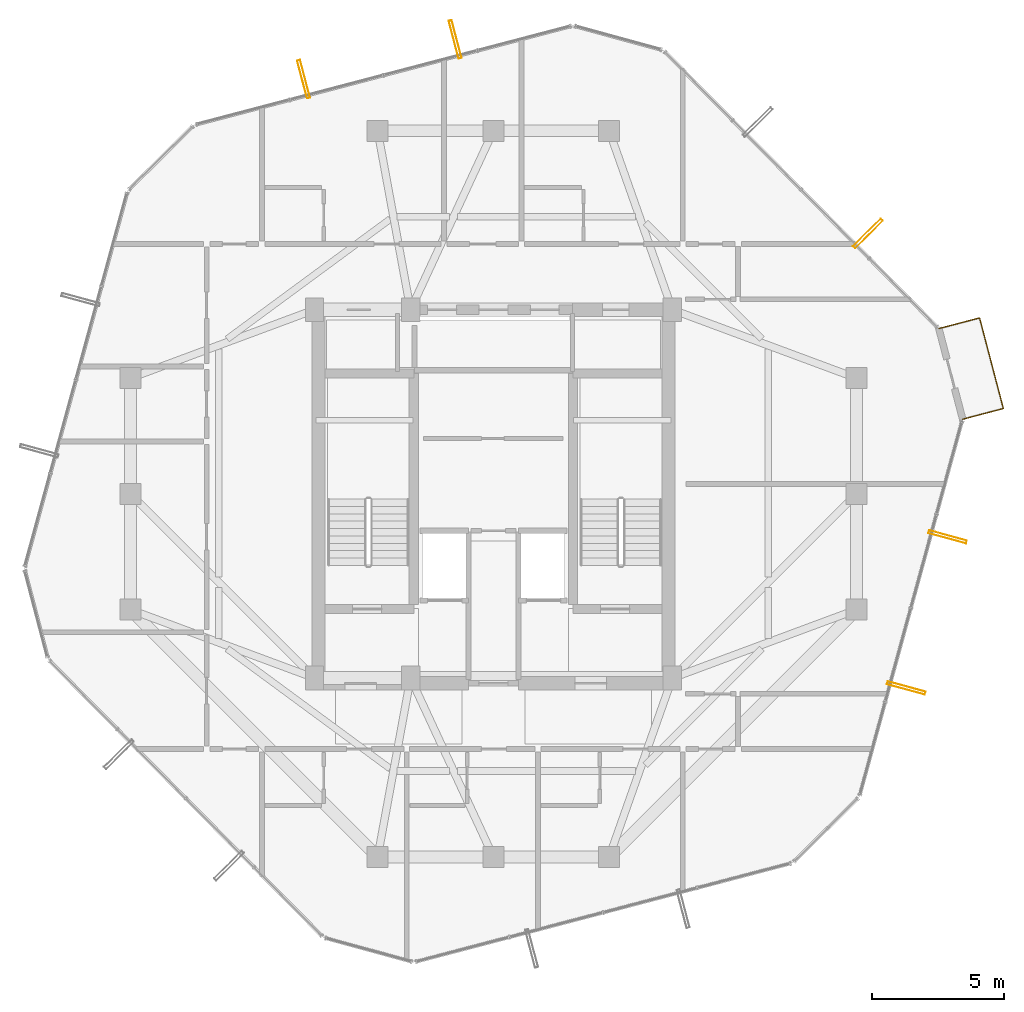
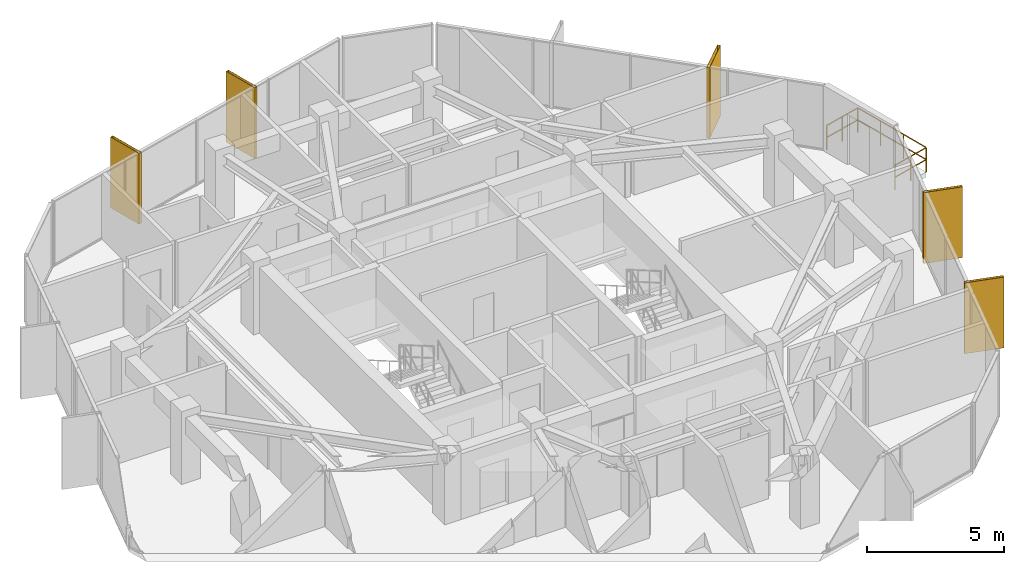
# One storey, part 29 of 29: 5 shading devices, 1 railing.
"""IFC4 building model written with IfcOpenShell, lengths in metres."""

from ifc_helpers import new_model, si_unit, direction, frame, origin, origin_2d, place, context, subcontext, project, spatial, hollow_rectangle, circle, extrude, material, material_profile, profile_set, type_object, element, save


model = new_model("IFC4")

# Units and contexts
model_context = context("Model", 3, precision=1e-05, world=origin(), true_north=direction((0.0, 1.0)))
body_context = subcontext(model_context, "Body", "Model", "MODEL_VIEW")
ifc_project = project(units=[si_unit("LENGTHUNIT", "METRE"), si_unit("AREAUNIT", "SQUARE_METRE"), si_unit("VOLUMEUNIT", "CUBIC_METRE"), si_unit("PLANEANGLEUNIT", "RADIAN"), si_unit("MASSUNIT", "GRAM", prefix="KILO")], contexts=[model_context])

# Site, building, storey
site_placement = place(None, origin())
site = spatial("IfcSite", under=ifc_project, at=site_placement, CompositionType="ELEMENT")
building_placement = place(site_placement, origin())
building = spatial("IfcBuilding", under=site, at=building_placement, Name="Veraguas Prism Commons", CompositionType="ELEMENT")
storey_placement = place(building_placement, frame((0.0, 0.0, 261.0)))
storey = spatial("IfcBuildingStorey", under=building, at=storey_placement, Name="L74", CompositionType="ELEMENT", Elevation=261.0)

# Shading devices
ifc_material_1 = material(Name="Anodised aluminium EN AW-6063 T6", Category="aluminium")
ifc_material_profile = material_profile(ifc_material_1, hollow_rectangle(XDim=0.1201171875, YDim=1.489990234375, WallThickness=0.006103515625, at=origin_2d()), Name="FIN120X1490X6")
ifc_profile_set = profile_set([ifc_material_profile], Name="Anodised aluminium EN AW-6063 T6")
shading_device_type = type_object("IfcShadingDeviceType", Name="Deep Pale-Metal Vertical Solar Fin 120x1490", PredefinedType="USERDEFINED", material=ifc_profile_set)
for number, where, z_axis, x_axis, name in (
    (1, (38.234130859375, 33.8974609375, -0.215087890625), (0.0, 0.0, 1.0), (-0.703395943389, 0.710798246217, 0.0), "Vertical Pale-Metal Solar Fin L74-F1A"),
    (2, (22.5458984375, 41.27587890625, -0.215087890625), (0.0, 0.0, 1.0), (-0.967266866988, -0.253761320985, 0.0), "Vertical Pale-Metal Solar Fin L74-F2A"),
    (3, (16.7861328125, 39.764892578125, -0.215087890625), (0.0, 0.0, 1.0), (-0.967266866988, -0.253761320985, 0.0), "Vertical Pale-Metal Solar Fin L74-F2B"),
    (4, (39.6884765625, 16.621337890625, -0.215087890625), (0.0, 0.0, 1.0), (0.263878100373, 0.964556036809, 0.0), "Vertical Pale-Metal Solar Fin L74-F6A"),
    (5, (41.259765625, 22.364990234375, -0.215087890625), (0.0, 0.0, 1.0), (0.263878100373, 0.964556036809, 0.0), "Vertical Pale-Metal Solar Fin L74-F6B"),
):
    element("IfcShadingDevice", number, at=place(storey_placement, frame(where, z_axis=z_axis, x_axis=x_axis)), inside=storey, type_object=shading_device_type, Name=name, ObjectType="FIN", PredefinedType="USERDEFINED", context=body_context, shape_type="SweptSolid", body=[
        extrude(hollow_rectangle(XDim=0.1201171875, YDim=1.489990234375, WallThickness=0.006103515625, at=origin_2d()), origin(), (0.0, 0.0, 1.0), 3.1650390625),
    ])

# Railing
ifc_material_2 = material(Name="Stainless steel AISI 316", Category="steel")
railing_type = type_object("IfcRailingType", Name="Loggia and Sky Pool Glazed Balustrade 1120", PredefinedType="BALUSTRADE", material=ifc_material_2)
railing_placement = place(storey_placement, frame((41.83544921875, 26.83740234375, 0.0)))
element("IfcRailing", 6, at=railing_placement, inside=storey, type_object=railing_type, Name="Recessed Corner Loggia L74-C1 Guard", PredefinedType="BALUSTRADE", context=body_context, shape_type="SweptSolid", body=[
    extrude(circle(Radius=0.02392578125, at=origin_2d()), frame((0.0, 0.0, 1.09619140625), z_axis=(0.967267959462, 0.253757156742, 0.0), x_axis=(-0.253757156742, 0.967267959462, 0.0)), (0.0, 0.0, 1.0), 1.60009765625),
    extrude(circle(Radius=0.02392578125, at=origin_2d()), frame((0.0, 0.0, 0.56005859375), z_axis=(0.967267959462, 0.253757156742, 0.0), x_axis=(-0.253757156742, 0.967267959462, 0.0)), (0.0, 0.0, 1.0), 1.60009765625),
    extrude(circle(Radius=0.02392578125, at=origin_2d()), frame((1.547607421875, 0.406005859375, 1.09619140625), z_axis=(-0.253757884976, 0.967267768414, 0.0), x_axis=(-0.967267768414, -0.253757884976, 0.0)), (0.0, 0.0, 1.0), 3.562744140625),
    extrude(circle(Radius=0.02392578125, at=origin_2d()), frame((1.547607421875, 0.406005859375, 0.56005859375), z_axis=(-0.253757884976, 0.967267768414, 0.0), x_axis=(-0.967267768414, -0.253757884976, 0.0)), (0.0, 0.0, 1.0), 3.562744140625),
    extrude(circle(Radius=0.02392578125, at=origin_2d()), frame((0.6435546875, 3.85205078125, 1.09619140625), z_axis=(-0.967267959462, -0.253757156742, 0.0), x_axis=(0.253757156742, -0.967267959462, 0.0)), (0.0, 0.0, 1.0), 1.60009765625),
    extrude(circle(Radius=0.02392578125, at=origin_2d()), frame((0.6435546875, 3.85205078125, 0.56005859375), z_axis=(-0.967267959462, -0.253757156742, 0.0), x_axis=(0.253757156742, -0.967267959462, 0.0)), (0.0, 0.0, 1.0), 1.60009765625),
    extrude(circle(Radius=0.02099609375, at=origin_2d()), origin(), (0.0, 0.0, 1.0), 1.072021484375),
    extrude(circle(Radius=0.02099609375, at=origin_2d()), frame((0.77392578125, 0.203125, 0.0)), (0.0, 0.0, 1.0), 1.072021484375),
    extrude(circle(Radius=0.02099609375, at=origin_2d()), frame((1.547607421875, 0.406005859375, 0.0)), (0.0, 0.0, 1.0), 1.072021484375),
    extrude(circle(Radius=0.02099609375, at=origin_2d()), frame((1.246337890625, 1.5546875, 0.0)), (0.0, 0.0, 1.0), 1.072021484375),
    extrude(circle(Radius=0.02099609375, at=origin_2d()), frame((0.94482421875, 2.703369140625, 0.0)), (0.0, 0.0, 1.0), 1.072021484375),
    extrude(circle(Radius=0.02099609375, at=origin_2d()), frame((0.6435546875, 3.85205078125, 0.0)), (0.0, 0.0, 1.0), 1.072021484375),
    extrude(circle(Radius=0.02099609375, at=origin_2d()), frame((-0.13037109375, 3.64892578125, 0.0)), (0.0, 0.0, 1.0), 1.072021484375),
    extrude(circle(Radius=0.02099609375, at=origin_2d()), frame((-0.904052734375, 3.446044921875, 0.0)), (0.0, 0.0, 1.0), 1.072021484375),
])

save(model, "model.ifc")
